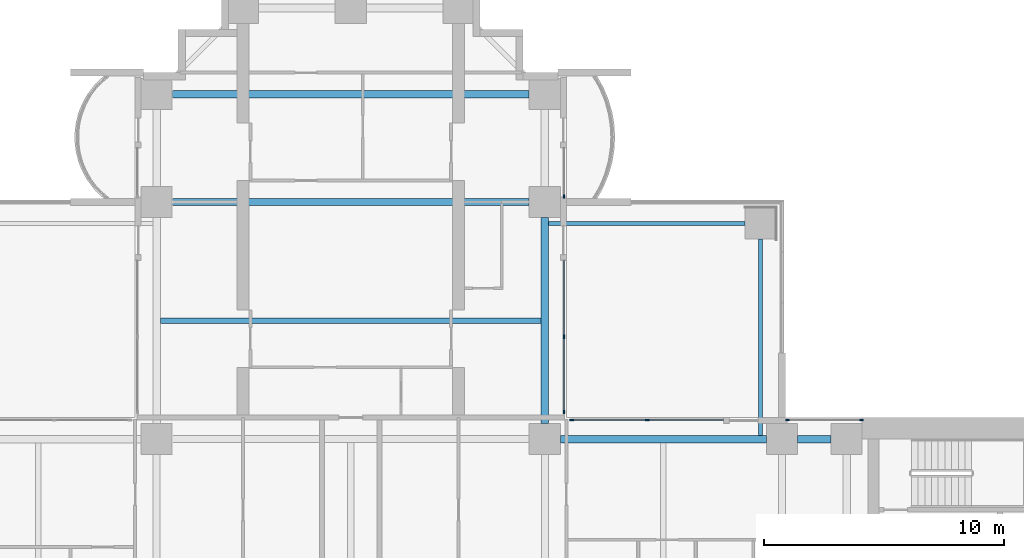
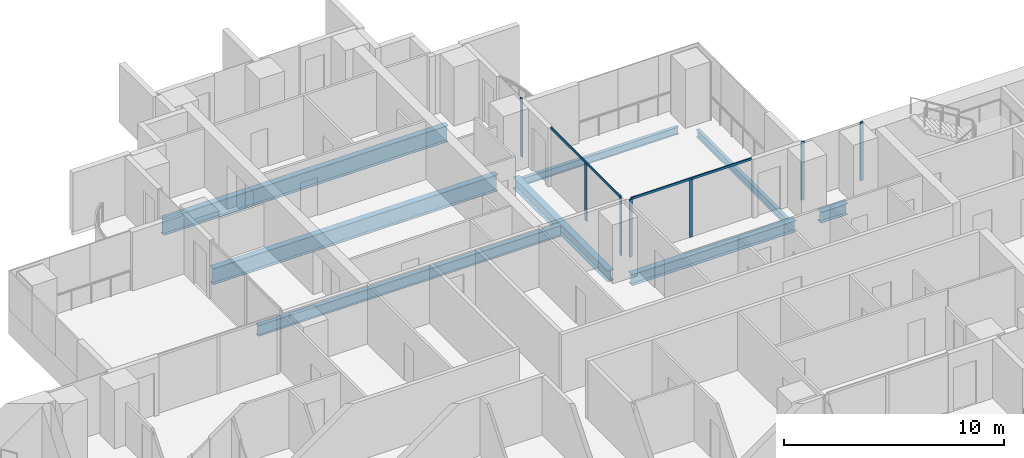
# One storey, part 6 of 20: 9 members, 8 beams, 4 elements without a shape of their own.
"""IFC4 building model written with IfcOpenShell, lengths in metres."""

from ifc_helpers import new_model, si_unit, direction, frame, origin, origin_2d, place, context, subcontext, project, spatial, rectangle, i_section, extrude, material, material_profile, profile_set, type_object, element, aggregate, save


model = new_model("IFC4")

# Units and contexts
model_context = context("Model", 3, precision=1e-05, world=origin(), true_north=direction((0.0, 1.0)))
body_context = subcontext(model_context, "Body", "Model", "MODEL_VIEW")
ifc_project = project(units=[si_unit("LENGTHUNIT", "METRE"), si_unit("AREAUNIT", "SQUARE_METRE"), si_unit("VOLUMEUNIT", "CUBIC_METRE"), si_unit("PLANEANGLEUNIT", "RADIAN"), si_unit("MASSUNIT", "GRAM", prefix="KILO")], contexts=[model_context])

# Site, building, storey
site_placement = place(None, origin())
site = spatial("IfcSite", under=ifc_project, at=site_placement, CompositionType="ELEMENT")
building_placement = place(site_placement, origin())
building = spatial("IfcBuilding", under=site, at=building_placement, Name="Perihelion Cross Residences", CompositionType="ELEMENT")
storey_placement = place(building_placement, frame((0.0, 0.0, 78.5)))
storey = spatial("IfcBuildingStorey", under=building, at=storey_placement, Name="L17", CompositionType="ELEMENT", Elevation=78.5)

# Curtain wall, members
ifc_material_1 = material(Name="Bronze anodised aluminium, tinted glazing", Category="aluminium")
curtain_wall_type = type_object("IfcCurtainWallType", Name="CW1", PredefinedType="NOTDEFINED", material=ifc_material_1)
curtain_wall_1_placement = place(storey_placement, origin())
curtain_wall_1 = element("IfcCurtainWall", 1, at=curtain_wall_1_placement, inside=storey, type_object=curtain_wall_type, Name="Curtain wall CW1 L17 east side north bay 1", PredefinedType="NOTDEFINED")
ifc_material_2 = material(Name="Bronze anodised aluminium", Category="aluminium")
ifc_material_profile_1 = material_profile(ifc_material_2, rectangle(XDim=0.06005859375, YDim=0.159912109375, at=origin_2d()), Name="CW1 mullion")
ifc_profile_set_1 = profile_set([ifc_material_profile_1], Name="Bronze anodised aluminium")
member_type_1 = type_object("IfcMemberType", Name="CW1 mullion", PredefinedType="MULLION", material=ifc_profile_set_1)
member_1_placement = place(storey_placement, frame((21.320068359375, 8.89990234375, 0.0), z_axis=(0.0, 0.0, 1.0), x_axis=(0.0, -1.0, 0.0)))
member_1 = element("IfcMember", 2, at=member_1_placement, type_object=member_type_1, Name="CW1 mullion 1", PredefinedType="MULLION", context=body_context, shape_type="SweptSolid", body=[
    extrude(rectangle(XDim=0.06005859375, YDim=0.159912109375, at=origin_2d()), origin(), (0.0, 0.0, 1.0), 3.25),
])
member_2_placement = place(storey_placement, frame((18.22998046875, 8.89990234375, 0.0), z_axis=(0.0, 0.0, 1.0), x_axis=(0.0, -1.0, 0.0)))
member_2 = element("IfcMember", 3, at=member_2_placement, type_object=member_type_1, Name="CW1 mullion 2", PredefinedType="MULLION", context=body_context, shape_type="SweptSolid", body=[
    extrude(rectangle(XDim=0.06005859375, YDim=0.159912109375, at=origin_2d()), origin(), (0.0, 0.0, 1.0), 3.25),
])
aggregate(curtain_wall_1, [member_1, member_2])

curtain_wall_2_placement = place(storey_placement, origin())
curtain_wall_2 = element("IfcCurtainWall", 4, at=curtain_wall_2_placement, inside=storey, type_object=curtain_wall_type, Name="Curtain wall CW1 L17 east side north bay 2", PredefinedType="NOTDEFINED")
member_3_placement = place(storey_placement, frame((12.375, 8.89990234375, 0.0), z_axis=(0.0, 0.0, 1.0), x_axis=(0.0, -1.0, 0.0)))
member_3 = element("IfcMember", 5, at=member_3_placement, type_object=member_type_1, Name="CW1 mullion 2", PredefinedType="MULLION", context=body_context, shape_type="SweptSolid", body=[
    extrude(rectangle(XDim=0.06005859375, YDim=0.159912109375, at=origin_2d()), origin(), (0.0, 0.0, 1.0), 3.18994140625),
])
member_4_placement = place(storey_placement, frame((9.22998046875, 8.89990234375, 0.0), z_axis=(0.0, 0.0, 1.0), x_axis=(0.0, -1.0, 0.0)))
member_4 = element("IfcMember", 6, at=member_4_placement, type_object=member_type_1, Name="CW1 mullion 3", PredefinedType="MULLION", context=body_context, shape_type="SweptSolid", body=[
    extrude(rectangle(XDim=0.06005859375, YDim=0.159912109375, at=origin_2d()), origin(), (0.0, 0.0, 1.0), 3.18994140625),
])

curtain_wall_3_placement = place(storey_placement, origin())
curtain_wall_3 = element("IfcCurtainWall", 7, at=curtain_wall_3_placement, inside=storey, type_object=curtain_wall_type, Name="Curtain wall CW1 L17 north side east bay 1", PredefinedType="NOTDEFINED")
member_5_placement = place(storey_placement, frame((8.89990234375, 9.22998046875, 0.0), z_axis=(0.0, 0.0, 1.0), x_axis=(-1.0, 0.0, 0.0)))
member_5 = element("IfcMember", 8, at=member_5_placement, type_object=member_type_1, Name="CW1 mullion 1", PredefinedType="MULLION", context=body_context, shape_type="SweptSolid", body=[
    extrude(rectangle(XDim=0.06005859375, YDim=0.159912109375, at=origin_2d()), origin(), (0.0, 0.0, 1.0), 3.18994140625),
])
member_6_placement = place(storey_placement, frame((8.89990234375, 12.375, 0.0), z_axis=(0.0, 0.0, 1.0), x_axis=(-1.0, 0.0, 0.0)))
member_6 = element("IfcMember", 9, at=member_6_placement, type_object=member_type_1, Name="CW1 mullion 2", PredefinedType="MULLION", context=body_context, shape_type="SweptSolid", body=[
    extrude(rectangle(XDim=0.06005859375, YDim=0.159912109375, at=origin_2d()), origin(), (0.0, 0.0, 1.0), 3.18994140625),
])

# Curtain wall, member
curtain_wall_4_placement = place(storey_placement, origin())
curtain_wall_4 = element("IfcCurtainWall", 10, at=curtain_wall_4_placement, inside=storey, type_object=curtain_wall_type, Name="Curtain wall CW1 L17 north side east bay 2", PredefinedType="NOTDEFINED")
member_7_placement = place(storey_placement, frame((8.89990234375, 18.22998046875, 0.0), z_axis=(0.0, 0.0, 1.0), x_axis=(-1.0, 0.0, 0.0)))
member_7 = element("IfcMember", 11, at=member_7_placement, type_object=member_type_1, Name="CW1 mullion 1", PredefinedType="MULLION", context=body_context, shape_type="SweptSolid", body=[
    extrude(rectangle(XDim=0.06005859375, YDim=0.159912109375, at=origin_2d()), origin(), (0.0, 0.0, 1.0), 3.25),
])
aggregate(curtain_wall_4, [member_7])

# Member
ifc_material_3 = material(Name="Bronze anodised aluminium", Category="aluminium")
ifc_material_profile_2 = material_profile(ifc_material_3, rectangle(XDim=0.06005859375, YDim=0.1201171875, at=origin_2d()), Name="CW1 transom")
ifc_profile_set_2 = profile_set([ifc_material_profile_2], Name="Bronze anodised aluminium")
member_type_2 = type_object("IfcMemberType", Name="CW1 transom", PredefinedType="USERDEFINED", material=ifc_profile_set_2)
member_8_placement = place(storey_placement, frame((15.550048828125, 8.89990234375, 3.219970703125), z_axis=(-1.0, 0.0, 0.0), x_axis=(0.0, -1.0, 0.0)))
member_8 = element("IfcMember", 12, at=member_8_placement, type_object=member_type_2, Name="CW1 head transom", ObjectType="TRANSOM", PredefinedType="USERDEFINED", context=body_context, shape_type="SweptSolid", body=[
    extrude(rectangle(XDim=0.06005859375, YDim=0.1201171875, at=origin_2d()), origin(), (0.0, 0.0, 1.0), 6.320068359375),
])

aggregate(curtain_wall_2, [member_3, member_4, member_8])

member_9_placement = place(storey_placement, frame((8.89990234375, 9.22998046875, 3.219970703125), z_axis=(0.0, 1.0, 0.0), x_axis=(-1.0, 0.0, 0.0)))
member_9 = element("IfcMember", 13, at=member_9_placement, type_object=member_type_2, Name="CW1 head transom", ObjectType="TRANSOM", PredefinedType="USERDEFINED", context=body_context, shape_type="SweptSolid", body=[
    extrude(rectangle(XDim=0.06005859375, YDim=0.1201171875, at=origin_2d()), origin(), (0.0, 0.0, 1.0), 6.320068359375),
])

aggregate(curtain_wall_3, [member_5, member_6, member_9])

# Beams
ifc_material_4 = material(Name="Steel S355", Category="steel")
ifc_material_profile_3 = material_profile(ifc_material_4, i_section(OverallWidth=0.177978515625, OverallDepth=0.406005859375, WebThickness=0.0078125, FlangeThickness=0.0126953125, at=origin_2d()), Name="W410x60")
ifc_profile_set_3 = profile_set([ifc_material_profile_3], Name="Steel S355")
beam_type_1 = type_object("IfcBeamType", Name="Core edge beam W410x60", PredefinedType="BEAM", material=ifc_profile_set_3)
for number, where, z_axis, x_axis, name in (
    (14, (17.10009765625, 8.262451171875, -0.452880859375), (0.0, 1.0, 0.0), (-1.0, 0.0, 0.0), "Core edge beam TB2 L17 corner no. 7"),
    (15, (8.262451171875, 17.10009765625, -0.452880859375), (1.0, 0.0, 0.0), (0.0, 1.0, 0.0), "Core edge beam TB2 L17 corner no. 8"),
):
    element("IfcBeam", number, at=place(storey_placement, frame(where, z_axis=z_axis, x_axis=x_axis)), inside=storey, type_object=beam_type_1, Name=name, PredefinedType="BEAM", context=body_context, shape_type="SweptSolid", body=[
        extrude(i_section(OverallWidth=0.177978515625, OverallDepth=0.406005859375, WebThickness=0.0078125, FlangeThickness=0.0126953125, at=origin_2d()), origin(), (0.0, 0.0, 1.0), 8.1875),
    ])
ifc_material_5 = material(Name="Steel S355", Category="steel")
ifc_material_profile_4 = material_profile(ifc_material_5, i_section(OverallWidth=0.324951171875, OverallDepth=0.616943359375, WebThickness=0.013916015625, FlangeThickness=0.021484375, at=origin_2d()), Name="W610x174")
ifc_profile_set_4 = profile_set([ifc_material_profile_4], Name="Steel S355")
beam_type_2 = type_object("IfcBeamType", Name="Edge beam W610x174", PredefinedType="SPANDREL", material=ifc_profile_set_4)
beam_1_placement = place(storey_placement, frame((20.050048828125, 8.10009765625, -0.55859375), z_axis=(-1.0, 0.0, 0.0), x_axis=(0.0, -1.0, 0.0)))
element("IfcBeam", 16, at=beam_1_placement, inside=storey, type_object=beam_type_2, Name="Edge beam SB2 L17 no. 14", PredefinedType="SPANDREL", context=body_context, shape_type="SweptSolid", body=[
    extrude(i_section(OverallWidth=0.324951171875, OverallDepth=0.616943359375, WebThickness=0.013916015625, FlangeThickness=0.021484375, at=origin_2d()), origin(), (0.0, 0.0, 1.0), 1.400146484375),
])
for number, where, z_axis, x_axis, name in (
    (17, (17.35009765625, 8.10009765625, -0.55859375), (-1.0, 0.0, 0.0), (0.0, -1.0, 0.0), "Edge beam SB2 L17 no. 13"),
    (18, (8.10009765625, 8.75, -0.55859375), (0.0, 1.0, 0.0), (-1.0, 0.0, 0.0), "Edge beam SB2 L17 no. 20"),
):
    element("IfcBeam", number, at=place(storey_placement, frame(where, z_axis=z_axis, x_axis=x_axis)), inside=storey, type_object=beam_type_2, Name=name, PredefinedType="SPANDREL", context=body_context, shape_type="SweptSolid", body=[
        extrude(i_section(OverallWidth=0.324951171875, OverallDepth=0.616943359375, WebThickness=0.013916015625, FlangeThickness=0.021484375, at=origin_2d()), origin(), (0.0, 0.0, 1.0), 8.60009765625),
    ])
ifc_material_6 = material(Name="Steel S355", Category="steel")
ifc_material_profile_5 = material_profile(ifc_material_6, i_section(OverallWidth=0.304931640625, OverallDepth=0.904052734375, WebThickness=0.01513671875, FlangeThickness=0.02001953125, at=origin_2d()), Name="W920x201")
ifc_profile_set_5 = profile_set([ifc_material_profile_5], Name="Steel S355")
beam_type_3 = type_object("IfcBeamType", Name="Floor girder W920x201", PredefinedType="BEAM", material=ifc_profile_set_5)
for number, where, z_axis, x_axis, name in (
    (19, (-7.449951171875, 18.0, -0.701904296875), (1.0, 0.0, 0.0), (0.0, 1.0, 0.0), "Girder G2 L17 no. 5"),
    (20, (-7.449951171875, 22.5, -0.701904296875), (1.0, 0.0, 0.0), (0.0, 1.0, 0.0), "Girder G2 L17 no. 6"),
):
    element("IfcBeam", number, at=place(storey_placement, frame(where, z_axis=z_axis, x_axis=x_axis)), inside=storey, type_object=beam_type_3, Name=name, PredefinedType="BEAM", context=body_context, shape_type="SweptSolid", body=[
        extrude(i_section(OverallWidth=0.304931640625, OverallDepth=0.904052734375, WebThickness=0.01513671875, FlangeThickness=0.02001953125, at=origin_2d()), origin(), (0.0, 0.0, 1.0), 14.89990234375),
    ])
ifc_material_7 = material(Name="Steel S355", Category="steel")
ifc_material_profile_6 = material_profile(ifc_material_7, i_section(OverallWidth=0.22900390625, OverallDepth=0.612060546875, WebThickness=0.011962890625, FlangeThickness=0.01953125, at=origin_2d()), Name="W610x125")
ifc_profile_set_6 = profile_set([ifc_material_profile_6], Name="Steel S355")
beam_type_4 = type_object("IfcBeamType", Name="Floor joist W610x125", PredefinedType="JOIST", material=ifc_profile_set_6)
beam_2_placement = place(storey_placement, frame((-7.9375, 13.050048828125, -0.555908203125), z_axis=(1.0, 0.0, 0.0), x_axis=(0.0, 1.0, 0.0)))
element("IfcBeam", 21, at=beam_2_placement, inside=storey, type_object=beam_type_4, Name="Joist J3 L17 no. 4", PredefinedType="JOIST", context=body_context, shape_type="SweptSolid", body=[
    extrude(i_section(OverallWidth=0.22900390625, OverallDepth=0.612060546875, WebThickness=0.011962890625, FlangeThickness=0.01953125, at=origin_2d()), origin(), (0.0, 0.0, 1.0), 15.875),
])

save(model, "model.ifc")
